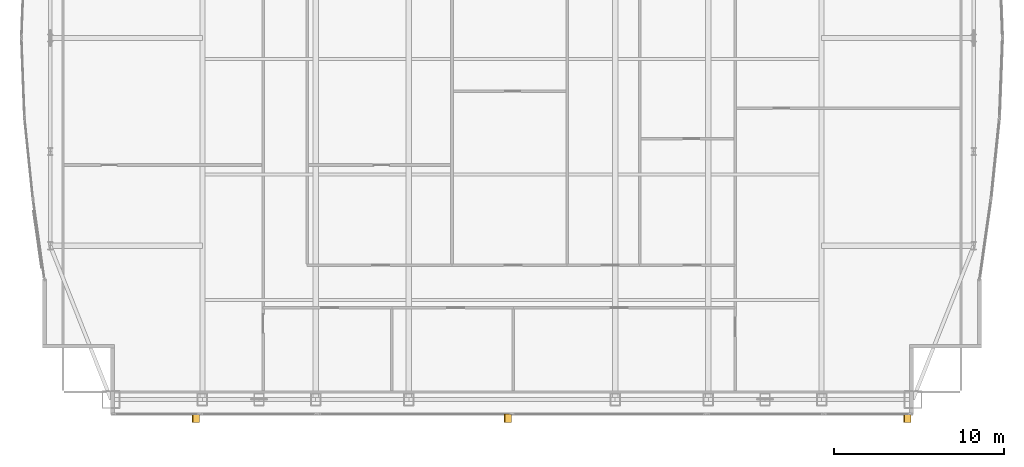
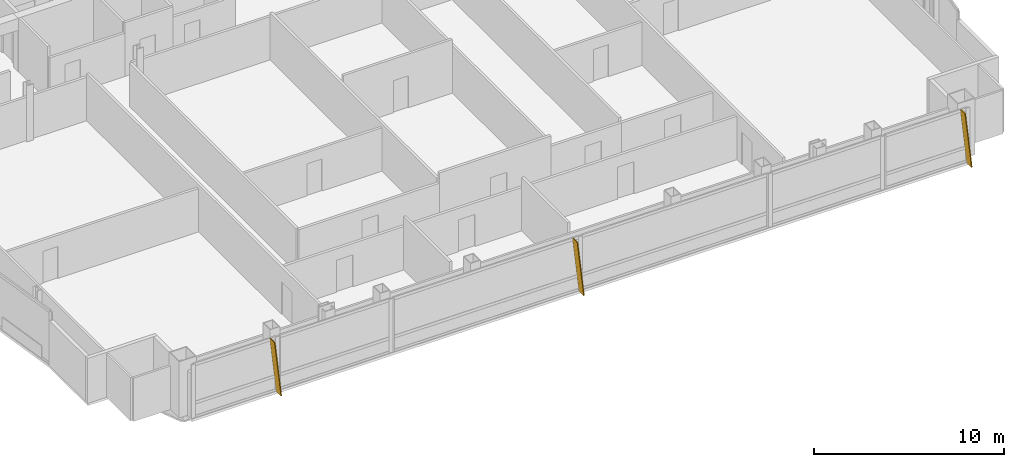
# One storey, part 29 of 30: 3 shading devices.
"""IFC4 building model written with IfcOpenShell, lengths in metres."""

from ifc_helpers import new_model, si_unit, direction, frame, origin, place, context, subcontext, project, spatial, polyline, outline, extrude, material, layer, layer_set, type_object, element, save


model = new_model("IFC4")

# Units and contexts
model_context = context("Model", 3, precision=1e-05, world=origin(), true_north=direction((0.0, 1.0)))
body_context = subcontext(model_context, "Body", "Model", "MODEL_VIEW")
ifc_project = project(units=[si_unit("LENGTHUNIT", "METRE"), si_unit("AREAUNIT", "SQUARE_METRE"), si_unit("VOLUMEUNIT", "CUBIC_METRE"), si_unit("PLANEANGLEUNIT", "RADIAN"), si_unit("MASSUNIT", "GRAM", prefix="KILO")], contexts=[model_context])

# Site, building, storey
site_placement = place(None, origin())
site = spatial("IfcSite", under=ifc_project, at=site_placement, CompositionType="ELEMENT")
building_placement = place(site_placement, origin())
building = spatial("IfcBuilding", under=site, at=building_placement, Name="Khoronbel Lancet Exchange", CompositionType="ELEMENT")
storey_placement = place(building_placement, frame((0.0, 0.0, 280.60009765625)))
storey = spatial("IfcBuildingStorey", under=building, at=storey_placement, Name="L72", CompositionType="ELEMENT", Elevation=280.60009765625)

# Shading devices
ifc_material = material(Name="Bronze-Anodised Aluminium 6063-T6", Category="aluminium")
ifc_layer = layer(ifc_material, 0.054931640625, Name="Bronze-Anodised Aluminium 6063-T6")
ifc_layer_set = layer_set([ifc_layer], Name="Bronze-Anodised Aluminium 6063-T6")
shading_device_type = type_object("IfcShadingDeviceType", Name="SHD-FIN1", PredefinedType="USERDEFINED", material=ifc_layer_set)
for number, where, z_axis, x_axis, name in (
    (1, (18.072509765625, 9.31005859375, -0.080078125), (0.993900347655, 0.0, 0.110281906632), (0.0, -1.0, 0.0), "Slanted bronze solar fin CW-L72-SWV-1"),
    (2, (36.422607421875, 9.31005859375, -0.080078125), (0.993900347655, 0.0, 0.110281906632), (0.0, -1.0, 0.0), "Slanted bronze solar fin CW-L72-SCV-1"),
    (3, (59.9326171875, 9.31005859375, -0.080078125), (0.993900347655, 0.0, 0.110281906632), (0.0, -1.0, 0.0), "Slanted bronze solar fin CW-L72-SEV-1"),
):
    element("IfcShadingDevice", number, at=place(storey_placement, frame(where, z_axis=z_axis, x_axis=x_axis)), inside=storey, type_object=shading_device_type, Name=name, ObjectType="FIN", PredefinedType="USERDEFINED", context=body_context, shape_type="SweptSolid", body=[
        extrude(outline(polyline([(0.0, 0.0), (0.52001953125, 0.0), (0.52001953125, -3.581787109375), (0.0, -3.581787109375), (0.0, 0.0)])), origin(), (0.0, 0.0, -1.0), 0.054931640625),
    ])

save(model, "model.ifc")
